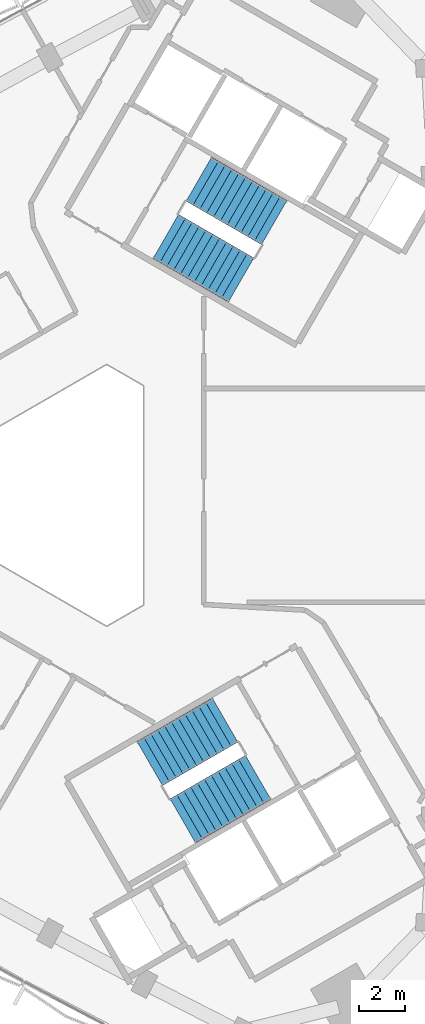
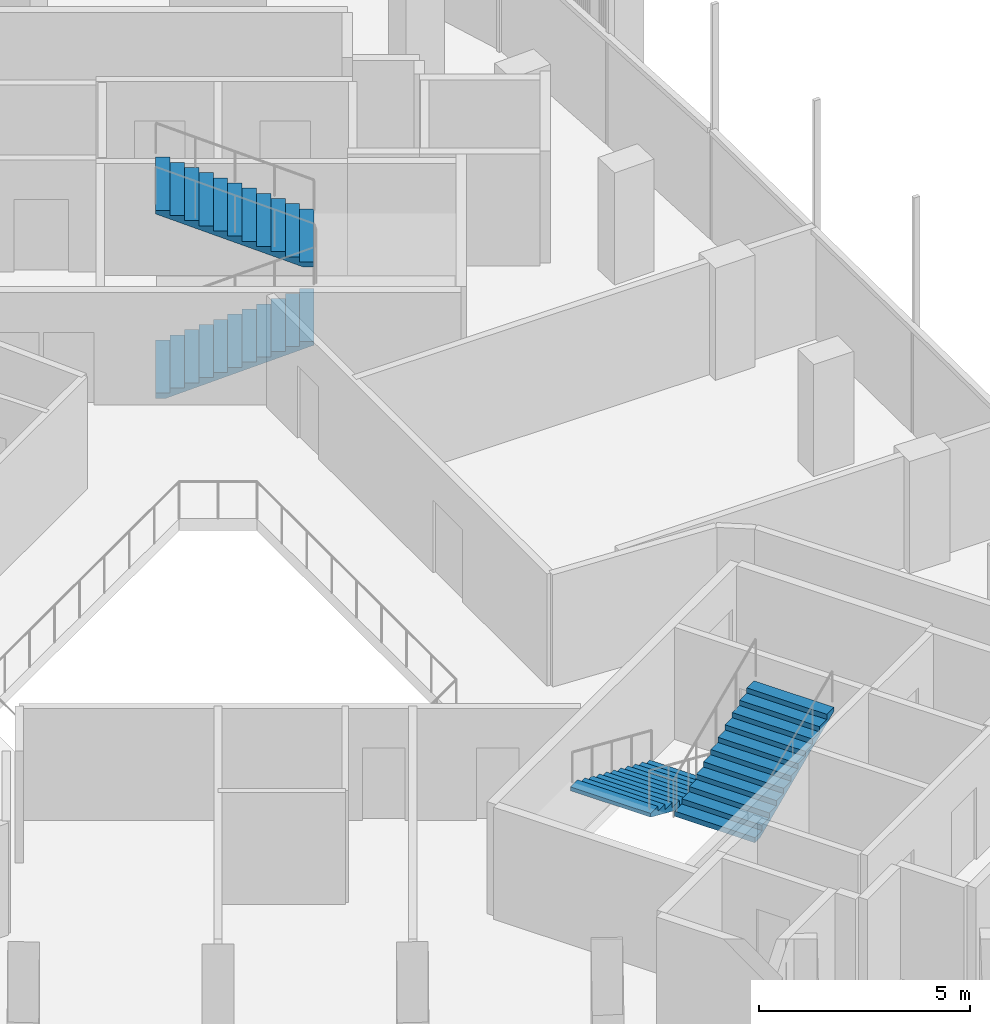
# One storey, part 11 of 16: 4 stair flights, 2 elements without a shape of their own.
"""IFC4 building model written with IfcOpenShell, lengths in metres."""

from ifc_helpers import new_model, si_unit, direction, frame, origin, place, context, subcontext, project, spatial, polyline, outline, extrude, material, type_object, element, aggregate, save


model = new_model("IFC4")

# Units and contexts
model_context = context("Model", 3, precision=1e-05, world=origin(), true_north=direction((0.0, 1.0)))
body_context = subcontext(model_context, "Body", "Model", "MODEL_VIEW")
ifc_project = project(units=[si_unit("LENGTHUNIT", "METRE"), si_unit("AREAUNIT", "SQUARE_METRE"), si_unit("VOLUMEUNIT", "CUBIC_METRE"), si_unit("PLANEANGLEUNIT", "RADIAN"), si_unit("MASSUNIT", "GRAM", prefix="KILO")], contexts=[model_context])

# Site, building, storey
site_placement = place(None, origin())
site = spatial("IfcSite", under=ifc_project, at=site_placement, CompositionType="ELEMENT")
building_placement = place(site_placement, origin())
building = spatial("IfcBuilding", under=site, at=building_placement, Name="Tamra Quay Hotel Tower", CompositionType="ELEMENT")
storey_placement = place(building_placement, frame((0.0, 0.0, 243.0)))
storey = spatial("IfcBuildingStorey", under=building, at=storey_placement, Name="L61", CompositionType="ELEMENT", Elevation=243.0)

# Stair, stair flights
ifc_material_1 = material(Name="Exit stair 2200 24 risers 150.0 going 342")
stair_type = type_object("IfcStairType", Name="Exit stair 2200 24 risers 150.0 going 342", PredefinedType="HALF_TURN_STAIR", material=ifc_material_1)
stair_1_placement = place(storey_placement, origin())
stair_1 = element("IfcStair", 1, at=stair_1_placement, inside=storey, type_object=stair_type, Name="L61 Exit stair ST1", PredefinedType="HALF_TURN_STAIR")
ifc_material_2 = material(Name="Exit stair flight 2200 12 risers 150.0")
stair_flight_type = type_object("IfcStairFlightType", Name="Exit stair flight 2200 12 risers 150.0", PredefinedType="STRAIGHT", material=ifc_material_2)
stair_flight_1_placement = place(storey_placement, frame((4.75927734375, 11.20361328125, 0.0), z_axis=(0.0, 0.0, 1.0), x_axis=(0.866025403784, -0.5, 0.0)))
stair_flight_1 = element("IfcStairFlight", 2, at=stair_flight_1_placement, type_object=stair_flight_type, Name="ST1 flight 1", NumberOfRisers=12, NumberOfTreads=11, PredefinedType="STRAIGHT", RiserHeight=0.15, TreadLength=0.342, context=body_context, shape_type="SweptSolid", body=[
    extrude(outline(polyline([(0.0, 0.0), (0.0, 0.14990234375), (0.342041015625, 0.14990234375), (0.342041015625, 0.300048828125), (0.68408203125, 0.300048828125), (0.68408203125, 0.449951171875), (1.02587890625, 0.449951171875), (1.02587890625, 0.60009765625), (1.367919921875, 0.60009765625), (1.367919921875, 0.75), (1.7099609375, 0.75), (1.7099609375, 0.89990234375), (2.052001953125, 0.89990234375), (2.052001953125, 1.050048828125), (2.39404296875, 1.050048828125), (2.39404296875, 1.199951171875), (2.736083984375, 1.199951171875), (2.736083984375, 1.35009765625), (3.077880859375, 1.35009765625), (3.077880859375, 1.5), (3.419921875, 1.5), (3.419921875, 1.64990234375), (3.761962890625, 1.64990234375), (3.761962890625, 1.800048828125), (3.761962890625, 1.540771484375), (0.249267578125, 0.0), (0.0, 0.0)])), frame((0.0, 1.10009765625, 0.0), z_axis=(0.0, -1.0, 0.0), x_axis=(1.0, 0.0, 0.0)), (0.0, 0.0, 1.0), 2.199951171875),
])
stair_flight_2_placement = place(storey_placement, frame((9.44677734375, 11.798583984375, 1.800048828125), z_axis=(0.0, 0.0, 1.0), x_axis=(-0.866025403784, 0.5, 0.0)))
stair_flight_2 = element("IfcStairFlight", 3, at=stair_flight_2_placement, type_object=stair_flight_type, Name="ST1 flight 2", NumberOfRisers=12, NumberOfTreads=11, PredefinedType="STRAIGHT", RiserHeight=0.15, TreadLength=0.342, context=body_context, shape_type="SweptSolid", body=[
    extrude(outline(polyline([(0.0, 0.0), (0.0, 0.14990234375), (0.342041015625, 0.14990234375), (0.342041015625, 0.300048828125), (0.68408203125, 0.300048828125), (0.68408203125, 0.449951171875), (1.02587890625, 0.449951171875), (1.02587890625, 0.60009765625), (1.367919921875, 0.60009765625), (1.367919921875, 0.75), (1.7099609375, 0.75), (1.7099609375, 0.89990234375), (2.052001953125, 0.89990234375), (2.052001953125, 1.050048828125), (2.39404296875, 1.050048828125), (2.39404296875, 1.199951171875), (2.736083984375, 1.199951171875), (2.736083984375, 1.35009765625), (3.077880859375, 1.35009765625), (3.077880859375, 1.5), (3.419921875, 1.5), (3.419921875, 1.64990234375), (3.761962890625, 1.64990234375), (3.761962890625, 1.800048828125), (3.761962890625, 1.540771484375), (0.249267578125, 0.0), (0.0, 0.0)])), frame((0.0, 1.10009765625, 0.0), z_axis=(0.0, -1.0, 0.0), x_axis=(1.0, 0.0, 0.0)), (0.0, 0.0, 1.0), 2.199951171875),
])
aggregate(stair_1, [stair_flight_1, stair_flight_2])

stair_2_placement = place(storey_placement, origin())
stair_2 = element("IfcStair", 4, at=stair_2_placement, inside=storey, type_object=stair_type, Name="L61 Exit stair ST2", PredefinedType="HALF_TURN_STAIR")
stair_flight_3_placement = place(storey_placement, frame((7.322998046875, -9.7236328125, 0.0), z_axis=(0.0, 0.0, 1.0), x_axis=(-0.866025403784, -0.5, 0.0)))
stair_flight_3 = element("IfcStairFlight", 5, at=stair_flight_3_placement, type_object=stair_flight_type, Name="ST2 flight 1", NumberOfRisers=12, NumberOfTreads=11, PredefinedType="STRAIGHT", RiserHeight=0.15, TreadLength=0.342, context=body_context, shape_type="SweptSolid", body=[
    extrude(outline(polyline([(0.0, 0.0), (0.0, 0.14990234375), (0.342041015625, 0.14990234375), (0.342041015625, 0.300048828125), (0.68408203125, 0.300048828125), (0.68408203125, 0.449951171875), (1.02587890625, 0.449951171875), (1.02587890625, 0.60009765625), (1.367919921875, 0.60009765625), (1.367919921875, 0.75), (1.7099609375, 0.75), (1.7099609375, 0.89990234375), (2.052001953125, 0.89990234375), (2.052001953125, 1.050048828125), (2.39404296875, 1.050048828125), (2.39404296875, 1.199951171875), (2.736083984375, 1.199951171875), (2.736083984375, 1.35009765625), (3.077880859375, 1.35009765625), (3.077880859375, 1.5), (3.419921875, 1.5), (3.419921875, 1.64990234375), (3.761962890625, 1.64990234375), (3.761962890625, 1.800048828125), (3.761962890625, 1.540771484375), (0.249267578125, 0.0), (0.0, 0.0)])), frame((0.0, 1.10009765625, 0.0), z_axis=(0.0, -1.0, 0.0), x_axis=(1.0, 0.0, 0.0)), (0.0, 0.0, 1.0), 2.199951171875),
])
stair_flight_4_placement = place(storey_placement, frame((5.494384765625, -14.08056640625, 1.800048828125), z_axis=(0.0, 0.0, 1.0), x_axis=(0.866025403784, 0.5, 0.0)))
stair_flight_4 = element("IfcStairFlight", 6, at=stair_flight_4_placement, type_object=stair_flight_type, Name="ST2 flight 2", NumberOfRisers=12, NumberOfTreads=11, PredefinedType="STRAIGHT", RiserHeight=0.15, TreadLength=0.342, context=body_context, shape_type="SweptSolid", body=[
    extrude(outline(polyline([(0.0, 0.0), (0.0, 0.14990234375), (0.342041015625, 0.14990234375), (0.342041015625, 0.300048828125), (0.68408203125, 0.300048828125), (0.68408203125, 0.449951171875), (1.02587890625, 0.449951171875), (1.02587890625, 0.60009765625), (1.367919921875, 0.60009765625), (1.367919921875, 0.75), (1.7099609375, 0.75), (1.7099609375, 0.89990234375), (2.052001953125, 0.89990234375), (2.052001953125, 1.050048828125), (2.39404296875, 1.050048828125), (2.39404296875, 1.199951171875), (2.736083984375, 1.199951171875), (2.736083984375, 1.35009765625), (3.077880859375, 1.35009765625), (3.077880859375, 1.5), (3.419921875, 1.5), (3.419921875, 1.64990234375), (3.761962890625, 1.64990234375), (3.761962890625, 1.800048828125), (3.761962890625, 1.540771484375), (0.249267578125, 0.0), (0.0, 0.0)])), frame((0.0, 1.10009765625, 0.0), z_axis=(0.0, -1.0, 0.0), x_axis=(1.0, 0.0, 0.0)), (0.0, 0.0, 1.0), 2.199951171875),
])
aggregate(stair_2, [stair_flight_3, stair_flight_4])

save(model, "model.ifc")
